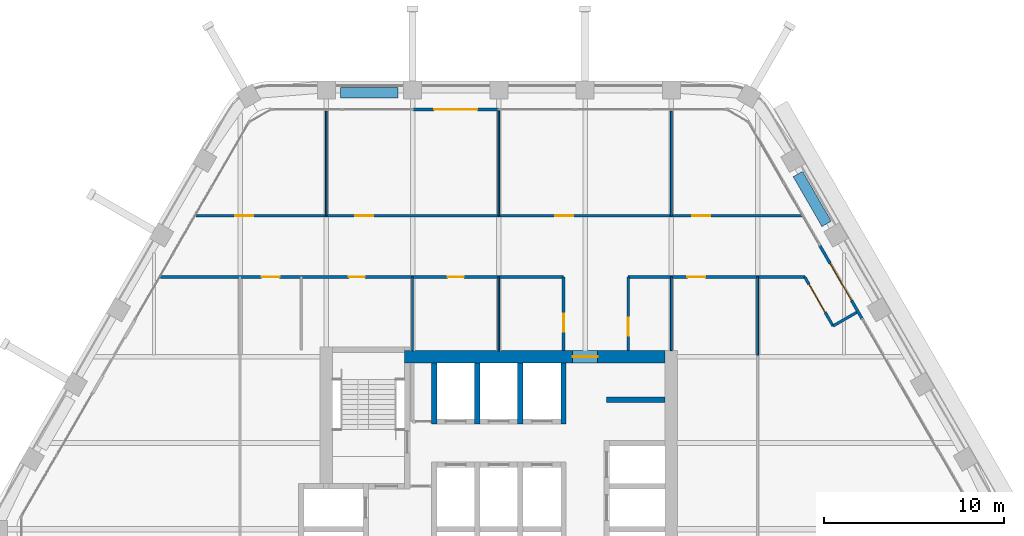
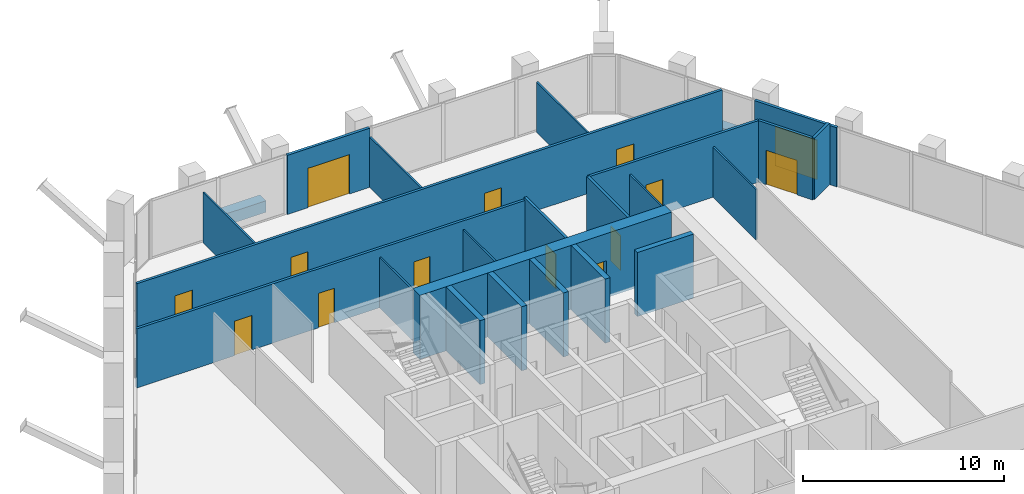
# One storey, part 12 of 16: 24 walls, 14 doors, 14 openings.
"""IFC4 building model written with IfcOpenShell, lengths in metres."""

from ifc_helpers import new_model, si_unit, direction, frame, frame_2d, origin, place, context, subcontext, project, spatial, rectangle, extrude, material, layer, layer_set, type_object, element, fill, save


model = new_model("IFC4")

# Units and contexts
model_context = context("Model", 3, precision=1e-05, world=origin(), true_north=direction((0.0, 1.0)))
body_context = subcontext(model_context, "Body", "Model", "MODEL_VIEW")
ifc_project = project(units=[si_unit("LENGTHUNIT", "METRE"), si_unit("AREAUNIT", "SQUARE_METRE"), si_unit("VOLUMEUNIT", "CUBIC_METRE"), si_unit("PLANEANGLEUNIT", "RADIAN"), si_unit("MASSUNIT", "GRAM", prefix="KILO")], contexts=[model_context])

# Site, building, storey
site_placement = place(None, origin())
site = spatial("IfcSite", under=ifc_project, at=site_placement, CompositionType="ELEMENT")
building_placement = place(site_placement, origin())
building = spatial("IfcBuilding", under=site, at=building_placement, Name="Kolab Exchange Tower", CompositionType="ELEMENT")
storey_placement = place(building_placement, frame((0.0, 0.0, 146.60009765625)))
storey = spatial("IfcBuildingStorey", under=building, at=storey_placement, Name="L29", CompositionType="ELEMENT", Elevation=146.60009765625)

# Wall, opening, door
ifc_material_1 = material(Name="Concrete C60/75", Category="concrete")
ifc_layer_1 = layer(ifc_material_1, 0.699951171875)
ifc_layer_set_1 = layer_set([ifc_layer_1], Name="Concrete C60/75")
wall_type_1 = type_object("IfcWallType", Name="CORE WALL 700 C60/75", PredefinedType="SHEAR", material=ifc_layer_set_1)
wall_1_placement = place(storey_placement, frame((-5.25, 9.60009765625, -0.150146484375), z_axis=(0.0, 0.0, 1.0), x_axis=(1.0, 0.0, 0.0)))
wall_1 = element("IfcWall", 1, at=wall_1_placement, inside=storey, type_object=wall_type_1, Name="wall/L29/core/031", PredefinedType="SHEAR", context=body_context, shape_type="SweptSolid", body=[
    extrude(rectangle(XDim=14.5, YDim=0.699951171875, at=frame_2d((7.25, 0.0))), origin(), (0.0, 0.0, 1.0), 3.900146484375),
])
opening_1_placement = place(wall_1_placement, frame((9.35009765625, 0.0, 0.14990234375)))
opening_1 = element("IfcOpeningElement", 2, at=opening_1_placement, cuts=wall_1, Name="Opening D5-010", PredefinedType="OPENING", context=body_context, shape_type="SweptSolid", body=[
    extrude(rectangle(XDim=1.39990234375, YDim=2.10009765625, at=frame_2d((0.699951171875, 1.050048828125))), frame((0.0, 0.35986328125, 0.0), z_axis=(0.0, -1.0, 0.0), x_axis=(1.0, 0.0, 0.0)), (0.0, 0.0, 1.0), 0.719970703125),
])
ifc_material_2 = material(Name="Steel S235", Category="steel")
door_type_1 = type_object("IfcDoorType", Name="CORE DOOR 1400 EI 120", OperationType="DOUBLE_DOOR_SINGLE_SWING", PredefinedType="DOOR", material=ifc_material_2)
door_1_placement = place(opening_1_placement, frame((1.39990234375, 0.0, 0.0), z_axis=(0.0, 0.0, 1.0), x_axis=(-1.0, 0.0, 0.0)))
door_1 = element("IfcDoor", 3, at=door_1_placement, inside=storey, type_object=door_type_1, Name="Core lobby door", OperationType="SINGLE_SWING_LEFT", OverallHeight=2.10009765625, OverallWidth=1.39990234375, PredefinedType="DOOR", context=body_context, shape_type="SweptSolid", body=[
    extrude(rectangle(XDim=1.39990234375, YDim=2.10009765625, at=frame_2d((0.699951171875, 1.050048828125))), frame((0.0, 0.02490234375, 0.0), z_axis=(0.0, -1.0, 0.0), x_axis=(1.0, 0.0, 0.0)), (0.0, 0.0, 1.0), 0.050048828125),
])
fill(opening_1, door_1)

ifc_material_3 = material(Name="Aluminium EN AW-6063 T6", Category="aluminium")
ifc_layer_2 = layer(ifc_material_3, 0.159912109375)
ifc_layer_set_2 = layer_set([ifc_layer_2], Name="Aluminium EN AW-6063 T6")
wall_type_2 = type_object("IfcWallType", Name="DOOR SURROUND WALL 160 ALUMINIUM FRAMED", PredefinedType="PARTITIONING", material=ifc_layer_set_2)
wall_2_placement = place(storey_placement, frame((-4.77001953125, 23.361572265625, 0.0), z_axis=(0.0, 0.0, 1.0), x_axis=(1.0, 0.0, 0.0)))
wall_2 = element("IfcWall", 4, at=wall_2_placement, inside=storey, type_object=wall_type_2, Name="Door surround wall", PredefinedType="PARTITIONING", context=body_context, shape_type="SweptSolid", body=[
    extrude(rectangle(XDim=4.739990234375, YDim=0.159912109375, at=frame_2d((2.3701171875, 0.0))), origin(), (0.0, 0.0, 1.0), 3.599853515625),
])
opening_2_placement = place(wall_2_placement, frame((1.169921875, 0.0, 0.0)))
opening_2 = element("IfcOpeningElement", 5, at=opening_2_placement, cuts=wall_2, Name="Opening GD1-070", PredefinedType="OPENING", context=body_context, shape_type="SweptSolid", body=[
    extrude(rectangle(XDim=2.39990234375, YDim=2.39990234375, at=frame_2d((1.199951171875, 1.199951171875))), frame((0.0, 0.08984375, 0.0), z_axis=(0.0, -1.0, 0.0), x_axis=(1.0, 0.0, 0.0)), (0.0, 0.0, 1.0), 0.179931640625),
])
door_type_2 = type_object("IfcDoorType", Name="LOGGIA SLIDING GLASS DOOR 2400 X 2400", OperationType="DOUBLE_DOOR_SINGLE_SWING", PredefinedType="DOOR", material=ifc_material_3)
door_2_placement = place(opening_2_placement, origin())
door_2 = element("IfcDoor", 6, at=door_2_placement, inside=storey, type_object=door_type_2, Name="Loggia door", OperationType="DOUBLE_DOOR_SLIDING", OverallHeight=2.39990234375, OverallWidth=2.39990234375, PredefinedType="DOOR", context=body_context, shape_type="SweptSolid", body=[
    extrude(rectangle(XDim=2.39990234375, YDim=2.39990234375, at=frame_2d((1.199951171875, 1.199951171875))), frame((0.0, 0.02490234375, 0.0), z_axis=(0.0, -1.0, 0.0), x_axis=(1.0, 0.0, 0.0)), (0.0, 0.0, 1.0), 0.050048828125),
])
fill(opening_2, door_2)

wall_3_placement = place(storey_placement, frame((17.8466796875, 15.811767578125, 0.0), z_axis=(0.0, 0.0, 1.0), x_axis=(0.5000167099, -0.866015756104, 0.0)))
wall_3 = element("IfcWall", 7, at=wall_3_placement, inside=storey, type_object=wall_type_2, Name="Door surround wall", PredefinedType="PARTITIONING", context=body_context, shape_type="SweptSolid", body=[
    extrude(rectangle(XDim=4.739990234375, YDim=0.159912109375, at=frame_2d((2.3701171875, 0.0))), origin(), (0.0, 0.0, 1.0), 3.599853515625),
])
opening_3_placement = place(wall_3_placement, frame((1.169921875, 0.0, 0.0)))
opening_3 = element("IfcOpeningElement", 8, at=opening_3_placement, cuts=wall_3, Name="Opening GD1-071", PredefinedType="OPENING", context=body_context, shape_type="SweptSolid", body=[
    extrude(rectangle(XDim=2.39990234375, YDim=2.39990234375, at=frame_2d((1.199951171875, 1.199951171875))), frame((0.0, 0.08984375, 0.0), z_axis=(0.0, -1.0, 0.0), x_axis=(1.0, 0.0, 0.0)), (0.0, 0.0, 1.0), 0.179931640625),
])
door_3_placement = place(opening_3_placement, origin())
door_3 = element("IfcDoor", 9, at=door_3_placement, inside=storey, type_object=door_type_2, Name="Loggia door", OperationType="DOUBLE_DOOR_SLIDING", OverallHeight=2.39990234375, OverallWidth=2.39990234375, PredefinedType="DOOR", context=body_context, shape_type="SweptSolid", body=[
    extrude(rectangle(XDim=2.39990234375, YDim=2.39990234375, at=frame_2d((1.199951171875, 1.199951171875))), frame((0.0, 0.02490234375, 0.0), z_axis=(0.0, -1.0, 0.0), x_axis=(1.0, 0.0, 0.0)), (0.0, 0.0, 1.0), 0.050048828125),
])
fill(opening_3, door_3)

# Walls
ifc_material_4 = material(Name="Concrete C50/60", Category="concrete")
ifc_layer_3 = layer(ifc_material_4, 0.300048828125)
ifc_layer_set_3 = layer_set([ifc_layer_3], Name="Concrete C50/60")
wall_type_3 = type_object("IfcWallType", Name="LIFT SHAFT WALL 300 C50/60", PredefinedType="STANDARD", material=ifc_layer_set_3)
wall_4_placement = place(storey_placement, frame((6.0, 7.199951171875, -0.150146484375), z_axis=(0.0, 0.0, 1.0), x_axis=(1.0, 0.0, 0.0)))
element("IfcWall", 10, at=wall_4_placement, inside=storey, type_object=wall_type_3, Name="wall/L29/core/030", PredefinedType="STANDARD", context=body_context, shape_type="SweptSolid", body=[
    extrude(rectangle(XDim=3.25, YDim=0.300048828125, at=frame_2d((1.625, 0.0))), origin(), (0.0, 0.0, 1.0), 3.900146484375),
])
for number, where, z_axis, x_axis, name in (
    (11, (-3.60009765625, 5.85009765625, -0.150146484375), (0.0, 0.0, 1.0), (0.0, 1.0, 0.0), "wall/L29/core/045"),
    (12, (-1.199951171875, 5.85009765625, -0.150146484375), (0.0, 0.0, 1.0), (0.0, 1.0, 0.0), "wall/L29/core/048"),
    (13, (1.199951171875, 5.85009765625, -0.150146484375), (0.0, 0.0, 1.0), (0.0, 1.0, 0.0), "wall/L29/core/051"),
    (14, (3.60009765625, 5.85009765625, -0.150146484375), (0.0, 0.0, 1.0), (0.0, 1.0, 0.0), "wall/L29/core/054"),
):
    element("IfcWall", number, at=place(storey_placement, frame(where, z_axis=z_axis, x_axis=x_axis)), inside=storey, type_object=wall_type_3, Name=name, PredefinedType="STANDARD", context=body_context, shape_type="SweptSolid", body=[
        extrude(rectangle(XDim=3.39990234375, YDim=0.300048828125, at=frame_2d((1.699951171875, 0.0))), origin(), (0.0, 0.0, 1.0), 3.900146484375),
    ])
ifc_material_5 = material(Name="Gypsum board", Category="gypsum")
ifc_layer_4 = layer(ifc_material_5, 0.10009765625)
ifc_layer_set_4 = layer_set([ifc_layer_4], Name="Gypsum board")
wall_type_4 = type_object("IfcWallType", Name="PARTITION 100", PredefinedType="PARTITIONING", material=ifc_layer_set_4)
wall_5_placement = place(storey_placement, frame((14.39990234375, 9.693603515625, 0.0), z_axis=(0.0, 0.0, 1.0), x_axis=(0.0, 1.0, 0.0)))
element("IfcWall", 15, at=wall_5_placement, inside=storey, type_object=wall_type_4, Name="Partition 000", PredefinedType="PARTITIONING", context=body_context, shape_type="SweptSolid", body=[
    extrude(rectangle(XDim=4.347900390625, YDim=0.10009765625, at=frame_2d((2.173828125, 0.0))), origin(), (0.0, 0.0, 1.0), 3.06591796875),
])
wall_6_placement = place(storey_placement, frame((9.60009765625, 9.949951171875, 0.0), z_axis=(0.0, 0.0, 1.0), x_axis=(0.0, 1.0, 0.0)))
element("IfcWall", 16, at=wall_6_placement, inside=storey, type_object=wall_type_4, Name="Partition 003", PredefinedType="PARTITIONING", context=body_context, shape_type="SweptSolid", body=[
    extrude(rectangle(XDim=4.091552734375, YDim=0.10009765625, at=frame_2d((2.0458984375, 0.0))), origin(), (0.0, 0.0, 1.0), 3.06591796875),
])
wall_7_placement = place(storey_placement, frame((9.60009765625, 17.44140625, 0.0), z_axis=(0.0, 0.0, 1.0), x_axis=(0.0, 1.0, 0.0)))
element("IfcWall", 17, at=wall_7_placement, inside=storey, type_object=wall_type_4, Name="Partition 004", PredefinedType="PARTITIONING", context=body_context, shape_type="SweptSolid", body=[
    extrude(rectangle(XDim=5.830078125, YDim=0.10009765625, at=frame_2d((2.9150390625, 0.0))), origin(), (0.0, 0.0, 1.0), 3.06591796875),
])
wall_8_placement = place(storey_placement, frame((0.0, 9.949951171875, 0.0), z_axis=(0.0, 0.0, 1.0), x_axis=(0.0, 1.0, 0.0)))
element("IfcWall", 18, at=wall_8_placement, inside=storey, type_object=wall_type_4, Name="Partition 012", PredefinedType="PARTITIONING", context=body_context, shape_type="SweptSolid", body=[
    extrude(rectangle(XDim=4.091552734375, YDim=0.10009765625, at=frame_2d((2.0458984375, 0.0))), origin(), (0.0, 0.0, 1.0), 3.06591796875),
])
wall_9_placement = place(storey_placement, frame((0.0, 17.44140625, 0.0), z_axis=(0.0, 0.0, 1.0), x_axis=(0.0, 1.0, 0.0)))
element("IfcWall", 19, at=wall_9_placement, inside=storey, type_object=wall_type_4, Name="Partition 013", PredefinedType="PARTITIONING", context=body_context, shape_type="SweptSolid", body=[
    extrude(rectangle(XDim=5.840087890625, YDim=0.10009765625, at=frame_2d((2.919921875, 0.0))), origin(), (0.0, 0.0, 1.0), 3.06591796875),
])
wall_10_placement = place(storey_placement, frame((-4.800048828125, 9.949951171875, 0.0), z_axis=(0.0, 0.0, 1.0), x_axis=(0.0, 1.0, 0.0)))
element("IfcWall", 20, at=wall_10_placement, inside=storey, type_object=wall_type_4, Name="Partition 016", PredefinedType="PARTITIONING", context=body_context, shape_type="SweptSolid", body=[
    extrude(rectangle(XDim=4.091552734375, YDim=0.10009765625, at=frame_2d((2.0458984375, 0.0))), origin(), (0.0, 0.0, 1.0), 3.06591796875),
])
wall_11_placement = place(storey_placement, frame((-9.60009765625, 17.44140625, 0.0), z_axis=(0.0, 0.0, 1.0), x_axis=(0.0, 1.0, 0.0)))
element("IfcWall", 21, at=wall_11_placement, inside=storey, type_object=wall_type_4, Name="Partition 019", PredefinedType="PARTITIONING", context=body_context, shape_type="SweptSolid", body=[
    extrude(rectangle(XDim=5.830078125, YDim=0.10009765625, at=frame_2d((2.9150390625, 0.0))), origin(), (0.0, 0.0, 1.0), 3.06591796875),
])

# Wall, opening, door
ifc_layer_5 = layer(ifc_material_5, 0.14990234375)
ifc_layer_set_5 = layer_set([ifc_layer_5], Name="Gypsum board")
wall_type_5 = type_object("IfcWallType", Name="PARTITION 150 FIRE-RATED", PredefinedType="PARTITIONING", material=ifc_layer_set_5)
wall_12_placement = place(storey_placement, frame((7.199951171875, 9.949951171875, 0.0), z_axis=(0.0, 0.0, 1.0), x_axis=(0.0, 1.0, 0.0)))
wall_12 = element("IfcWall", 22, at=wall_12_placement, inside=storey, type_object=wall_type_5, Name="Partition 005", PredefinedType="PARTITIONING", context=body_context, shape_type="SweptSolid", body=[
    extrude(rectangle(XDim=4.091552734375, YDim=0.14990234375, at=frame_2d((2.0458984375, 0.0))), origin(), (0.0, 0.0, 1.0), 3.75),
])
opening_4_placement = place(wall_12_placement, frame((0.8212890625, 0.0, 0.0)))
opening_4 = element("IfcOpeningElement", 23, at=opening_4_placement, cuts=wall_12, Name="Opening D1-400", PredefinedType="OPENING", context=body_context, shape_type="SweptSolid", body=[
    extrude(rectangle(XDim=1.0, YDim=2.10009765625, at=frame_2d((0.5, 1.050048828125))), frame((0.0, 0.0849609375, 0.0), z_axis=(0.0, -1.0, 0.0), x_axis=(1.0, 0.0, 0.0)), (0.0, 0.0, 1.0), 0.169921875),
])
door_type_3 = type_object("IfcDoorType", Name="FLUSH DOOR 1000 FD60", OperationType="SINGLE_SWING_LEFT", PredefinedType="DOOR", material=ifc_material_2)
door_4_placement = place(opening_4_placement, frame((1.0, 0.0, 0.0), z_axis=(0.0, 0.0, 1.0), x_axis=(-1.0, 0.0, 0.0)))
door_4 = element("IfcDoor", 24, at=door_4_placement, inside=storey, type_object=door_type_3, Name="Door L29-030", OperationType="SINGLE_SWING_LEFT", OverallHeight=2.10009765625, OverallWidth=1.0, PredefinedType="DOOR", context=body_context, shape_type="SweptSolid", body=[
    extrude(rectangle(XDim=1.0, YDim=2.10009765625, at=frame_2d((0.5, 1.050048828125))), frame((0.0, 0.02490234375, 0.0), z_axis=(0.0, -1.0, 0.0), x_axis=(1.0, 0.0, 0.0)), (0.0, 0.0, 1.0), 0.050048828125),
])
fill(opening_4, door_4)

wall_13_placement = place(storey_placement, frame((3.60009765625, 9.949951171875, 0.0), z_axis=(0.0, 0.0, 1.0), x_axis=(0.0, 1.0, 0.0)))
wall_13 = element("IfcWall", 25, at=wall_13_placement, inside=storey, type_object=wall_type_5, Name="Partition 008", PredefinedType="PARTITIONING", context=body_context, shape_type="SweptSolid", body=[
    extrude(rectangle(XDim=4.091552734375, YDim=0.14990234375, at=frame_2d((2.0458984375, 0.0))), origin(), (0.0, 0.0, 1.0), 3.75),
])
opening_5_placement = place(wall_13_placement, frame((1.035400390625, 0.0, 0.0)))
opening_5 = element("IfcOpeningElement", 26, at=opening_5_placement, cuts=wall_13, Name="Opening D1-418", PredefinedType="OPENING", context=body_context, shape_type="SweptSolid", body=[
    extrude(rectangle(XDim=1.0, YDim=2.10009765625, at=frame_2d((0.5, 1.050048828125))), frame((0.0, 0.0849609375, 0.0), z_axis=(0.0, -1.0, 0.0), x_axis=(1.0, 0.0, 0.0)), (0.0, 0.0, 1.0), 0.169921875),
])
door_5_placement = place(opening_5_placement, origin())
door_5 = element("IfcDoor", 27, at=door_5_placement, inside=storey, type_object=door_type_3, Name="Door L29-033", OperationType="SINGLE_SWING_LEFT", OverallHeight=2.10009765625, OverallWidth=1.0, PredefinedType="DOOR", context=body_context, shape_type="SweptSolid", body=[
    extrude(rectangle(XDim=1.0, YDim=2.10009765625, at=frame_2d((0.5, 1.050048828125))), frame((0.0, 0.02490234375, 0.0), z_axis=(0.0, -1.0, 0.0), x_axis=(1.0, 0.0, 0.0)), (0.0, 0.0, 1.0), 0.050048828125),
])
fill(opening_5, door_5)

wall_14_placement = place(storey_placement, frame((17.021240234375, 14.04150390625, 0.0), z_axis=(0.0, 0.0, 1.0), x_axis=(0.499957296199, -0.866050057432, 0.0)))
wall_14 = element("IfcWall", 28, at=wall_14_placement, inside=storey, type_object=wall_type_5, Name="Partition 024", PredefinedType="PARTITIONING", context=body_context, shape_type="SweptSolid", body=[
    extrude(rectangle(XDim=3.149658203125, YDim=0.14990234375, at=frame_2d((1.57470703125, 0.0))), origin(), (0.0, 0.0, 1.0), 3.75),
])
opening_6_placement = place(wall_14_placement, frame((0.46728515625, 0.0, 0.0)))
opening_6 = element("IfcOpeningElement", 29, at=opening_6_placement, cuts=wall_14, Name="Opening D2-041", PredefinedType="OPENING", context=body_context, shape_type="SweptSolid", body=[
    extrude(rectangle(XDim=1.800048828125, YDim=2.10009765625, at=frame_2d((0.89990234375, 1.050048828125))), frame((0.0, 0.0849609375, 0.0), z_axis=(0.0, -1.0, 0.0), x_axis=(1.0, 0.0, 0.0)), (0.0, 0.0, 1.0), 0.169921875),
])
door_type_4 = type_object("IfcDoorType", Name="DOUBLE DOOR 1800 FD60", OperationType="DOUBLE_DOOR_SINGLE_SWING", PredefinedType="DOOR", material=ifc_material_2)
door_6_placement = place(opening_6_placement, frame((1.800048828125, 0.0, 0.0), z_axis=(0.0, 0.0, 1.0), x_axis=(-1.0, 0.0, 0.0)))
door_6 = element("IfcDoor", 30, at=door_6_placement, inside=storey, type_object=door_type_4, Name="Door L29-049", OperationType="SINGLE_SWING_LEFT", OverallHeight=2.10009765625, OverallWidth=1.800048828125, PredefinedType="DOOR", context=body_context, shape_type="SweptSolid", body=[
    extrude(rectangle(XDim=1.800048828125, YDim=2.10009765625, at=frame_2d((0.89990234375, 1.050048828125))), frame((0.0, 0.02490234375, 0.0), z_axis=(0.0, -1.0, 0.0), x_axis=(1.0, 0.0, 0.0)), (0.0, 0.0, 1.0), 0.050048828125),
])
fill(opening_6, door_6)

# Wall
wall_15_placement = place(storey_placement, frame((18.595947265625, 11.313720703125, 0.0), z_axis=(0.0, 0.0, 1.0), x_axis=(0.866030456496, 0.499991248344, 0.0)))
element("IfcWall", 31, at=wall_15_placement, inside=storey, type_object=wall_type_5, Name="Partition 026", PredefinedType="PARTITIONING", context=body_context, shape_type="SweptSolid", body=[
    extrude(rectangle(XDim=1.52001953125, YDim=0.14990234375, at=frame_2d((0.760009765625, 0.0))), origin(), (0.0, 0.0, 1.0), 3.75),
])

# Wall, openings, doors
wall_16_placement = place(storey_placement, frame((-18.822509765625, 14.04150390625, 0.0), z_axis=(0.0, 0.0, 1.0), x_axis=(1.0, 0.0, 0.0)))
wall_16 = element("IfcWall", 32, at=wall_16_placement, inside=storey, type_object=wall_type_5, Name="Partition 031", PredefinedType="PARTITIONING", context=body_context, shape_type="SweptSolid", body=[
    extrude(rectangle(XDim=22.422607421875, YDim=0.14990234375, at=frame_2d((11.21142578125, 0.0))), origin(), (0.0, 0.0, 1.0), 3.599853515625),
])
opening_7_placement = place(wall_16_placement, frame((10.472412109375, 0.0, 0.0)))
opening_7 = element("IfcOpeningElement", 33, at=opening_7_placement, cuts=wall_16, Name="Opening D3-040", PredefinedType="OPENING", context=body_context, shape_type="SweptSolid", body=[
    extrude(rectangle(XDim=0.89990234375, YDim=2.10009765625, at=frame_2d((0.449951171875, 1.050048828125))), frame((0.0, 0.0849609375, 0.0), z_axis=(0.0, -1.0, 0.0), x_axis=(1.0, 0.0, 0.0)), (0.0, 0.0, 1.0), 0.169921875),
])
opening_8_placement = place(wall_16_placement, frame((15.972412109375, 0.0, 0.0)))
opening_8 = element("IfcOpeningElement", 34, at=opening_8_placement, cuts=wall_16, Name="Opening D3-041", PredefinedType="OPENING", context=body_context, shape_type="SweptSolid", body=[
    extrude(rectangle(XDim=0.89990234375, YDim=2.10009765625, at=frame_2d((0.449951171875, 1.050048828125))), frame((0.0, 0.0849609375, 0.0), z_axis=(0.0, -1.0, 0.0), x_axis=(1.0, 0.0, 0.0)), (0.0, 0.0, 1.0), 0.169921875),
])
opening_9_placement = place(wall_16_placement, frame((5.62255859375, 0.0, 0.0)))
opening_9 = element("IfcOpeningElement", 35, at=opening_9_placement, cuts=wall_16, Name="Opening D1-431", PredefinedType="OPENING", context=body_context, shape_type="SweptSolid", body=[
    extrude(rectangle(XDim=1.0, YDim=2.10009765625, at=frame_2d((0.5, 1.050048828125))), frame((0.0, 0.0849609375, 0.0), z_axis=(0.0, -1.0, 0.0), x_axis=(1.0, 0.0, 0.0)), (0.0, 0.0, 1.0), 0.169921875),
])
door_7_placement = place(opening_9_placement, frame((1.0, 0.0, 0.0), z_axis=(0.0, 0.0, 1.0), x_axis=(-1.0, 0.0, 0.0)))
door_7 = element("IfcDoor", 36, at=door_7_placement, inside=storey, type_object=door_type_3, Name="Door L29-051", OperationType="SINGLE_SWING_LEFT", OverallHeight=2.10009765625, OverallWidth=1.0, PredefinedType="DOOR", context=body_context, shape_type="SweptSolid", body=[
    extrude(rectangle(XDim=1.0, YDim=2.10009765625, at=frame_2d((0.5, 1.050048828125))), frame((0.0, 0.02490234375, 0.0), z_axis=(0.0, -1.0, 0.0), x_axis=(1.0, 0.0, 0.0)), (0.0, 0.0, 1.0), 0.050048828125),
])
fill(opening_9, door_7)
door_type_5 = type_object("IfcDoorType", Name="FLUSH DOOR 900 FD60", OperationType="SINGLE_SWING_LEFT", PredefinedType="DOOR", material=ifc_material_2)
door_8_placement = place(opening_7_placement, frame((0.89990234375, 0.0, 0.0), z_axis=(0.0, 0.0, 1.0), x_axis=(-1.0, 0.0, 0.0)))
door_8 = element("IfcDoor", 37, at=door_8_placement, inside=storey, type_object=door_type_5, Name="Door L29-031", OperationType="SINGLE_SWING_LEFT", OverallHeight=2.10009765625, OverallWidth=0.89990234375, PredefinedType="DOOR", context=body_context, shape_type="SweptSolid", body=[
    extrude(rectangle(XDim=0.89990234375, YDim=2.10009765625, at=frame_2d((0.449951171875, 1.050048828125))), frame((0.0, 0.02490234375, 0.0), z_axis=(0.0, -1.0, 0.0), x_axis=(1.0, 0.0, 0.0)), (0.0, 0.0, 1.0), 0.050048828125),
])
fill(opening_7, door_8)
door_9_placement = place(opening_8_placement, frame((0.89990234375, 0.0, 0.0), z_axis=(0.0, 0.0, 1.0), x_axis=(-1.0, 0.0, 0.0)))
door_9 = element("IfcDoor", 38, at=door_9_placement, inside=storey, type_object=door_type_5, Name="Door L29-032", OperationType="SINGLE_SWING_LEFT", OverallHeight=2.10009765625, OverallWidth=0.89990234375, PredefinedType="DOOR", context=body_context, shape_type="SweptSolid", body=[
    extrude(rectangle(XDim=0.89990234375, YDim=2.10009765625, at=frame_2d((0.449951171875, 1.050048828125))), frame((0.0, 0.02490234375, 0.0), z_axis=(0.0, -1.0, 0.0), x_axis=(1.0, 0.0, 0.0)), (0.0, 0.0, 1.0), 0.050048828125),
])
fill(opening_8, door_9)

# Wall, opening, door
wall_17_placement = place(storey_placement, frame((7.199951171875, 14.04150390625, 0.0), z_axis=(0.0, 0.0, 1.0), x_axis=(1.0, 0.0, 0.0)))
wall_17 = element("IfcWall", 39, at=wall_17_placement, inside=storey, type_object=wall_type_5, Name="Partition 032", PredefinedType="PARTITIONING", context=body_context, shape_type="SweptSolid", body=[
    extrude(rectangle(XDim=9.8212890625, YDim=0.14990234375, at=frame_2d((4.91064453125, 0.0))), origin(), (0.0, 0.0, 1.0), 3.75),
])
opening_10_placement = place(wall_17_placement, frame((3.284912109375, 0.0, 0.0)))
opening_10 = element("IfcOpeningElement", 40, at=opening_10_placement, cuts=wall_17, Name="Opening D1-430", PredefinedType="OPENING", context=body_context, shape_type="SweptSolid", body=[
    extrude(rectangle(XDim=1.0, YDim=2.10009765625, at=frame_2d((0.5, 1.050048828125))), frame((0.0, 0.0849609375, 0.0), z_axis=(0.0, -1.0, 0.0), x_axis=(1.0, 0.0, 0.0)), (0.0, 0.0, 1.0), 0.169921875),
])
door_10_placement = place(opening_10_placement, frame((1.0, 0.0, 0.0), z_axis=(0.0, 0.0, 1.0), x_axis=(-1.0, 0.0, 0.0)))
door_10 = element("IfcDoor", 41, at=door_10_placement, inside=storey, type_object=door_type_3, Name="Door L29-048", OperationType="SINGLE_SWING_LEFT", OverallHeight=2.10009765625, OverallWidth=1.0, PredefinedType="DOOR", context=body_context, shape_type="SweptSolid", body=[
    extrude(rectangle(XDim=1.0, YDim=2.10009765625, at=frame_2d((0.5, 1.050048828125))), frame((0.0, 0.02490234375, 0.0), z_axis=(0.0, -1.0, 0.0), x_axis=(1.0, 0.0, 0.0)), (0.0, 0.0, 1.0), 0.050048828125),
])
fill(opening_10, door_10)

# Wall, openings, doors
wall_18_placement = place(storey_placement, frame((-16.859619140625, 17.44140625, 0.0), z_axis=(0.0, 0.0, 1.0), x_axis=(1.0, 0.0, 0.0)))
wall_18 = element("IfcWall", 42, at=wall_18_placement, inside=storey, type_object=wall_type_5, Name="Partition 033", PredefinedType="PARTITIONING", context=body_context, shape_type="SweptSolid", body=[
    extrude(rectangle(XDim=33.71923828125, YDim=0.14990234375, at=frame_2d((16.859619140625, 0.0))), origin(), (0.0, 0.0, 1.0), 3.599853515625),
])
opening_11_placement = place(wall_18_placement, frame((2.19091796875, 0.0, 0.0)))
opening_11 = element("IfcOpeningElement", 43, at=opening_11_placement, cuts=wall_18, Name="Opening D1-422", PredefinedType="OPENING", context=body_context, shape_type="SweptSolid", body=[
    extrude(rectangle(XDim=1.0, YDim=2.10009765625, at=frame_2d((0.5, 1.050048828125))), frame((0.0, 0.0849609375, 0.0), z_axis=(0.0, -1.0, 0.0), x_axis=(1.0, 0.0, 0.0)), (0.0, 0.0, 1.0), 0.169921875),
])
opening_12_placement = place(wall_18_placement, frame((8.864501953125, 0.0, 0.0)))
opening_12 = element("IfcOpeningElement", 44, at=opening_12_placement, cuts=wall_18, Name="Opening D1-423", PredefinedType="OPENING", context=body_context, shape_type="SweptSolid", body=[
    extrude(rectangle(XDim=1.0, YDim=2.10009765625, at=frame_2d((0.5, 1.050048828125))), frame((0.0, 0.0849609375, 0.0), z_axis=(0.0, -1.0, 0.0), x_axis=(1.0, 0.0, 0.0)), (0.0, 0.0, 1.0), 0.169921875),
])
opening_13_placement = place(wall_18_placement, frame((20.00439453125, 0.0, 0.0)))
opening_13 = element("IfcOpeningElement", 45, at=opening_13_placement, cuts=wall_18, Name="Opening D1-424", PredefinedType="OPENING", context=body_context, shape_type="SweptSolid", body=[
    extrude(rectangle(XDim=1.0, YDim=2.10009765625, at=frame_2d((0.5, 1.050048828125))), frame((0.0, 0.0849609375, 0.0), z_axis=(0.0, -1.0, 0.0), x_axis=(1.0, 0.0, 0.0)), (0.0, 0.0, 1.0), 0.169921875),
])
opening_14_placement = place(wall_18_placement, frame((27.629150390625, 0.0, 0.0)))
opening_14 = element("IfcOpeningElement", 46, at=opening_14_placement, cuts=wall_18, Name="Opening D1-425", PredefinedType="OPENING", context=body_context, shape_type="SweptSolid", body=[
    extrude(rectangle(XDim=1.0, YDim=2.10009765625, at=frame_2d((0.5, 1.050048828125))), frame((0.0, 0.0849609375, 0.0), z_axis=(0.0, -1.0, 0.0), x_axis=(1.0, 0.0, 0.0)), (0.0, 0.0, 1.0), 0.169921875),
])
door_11_placement = place(opening_11_placement, origin())
door_11 = element("IfcDoor", 47, at=door_11_placement, inside=storey, type_object=door_type_3, Name="Door L29-038", OperationType="SINGLE_SWING_LEFT", OverallHeight=2.10009765625, OverallWidth=1.0, PredefinedType="DOOR", context=body_context, shape_type="SweptSolid", body=[
    extrude(rectangle(XDim=1.0, YDim=2.10009765625, at=frame_2d((0.5, 1.050048828125))), frame((0.0, 0.02490234375, 0.0), z_axis=(0.0, -1.0, 0.0), x_axis=(1.0, 0.0, 0.0)), (0.0, 0.0, 1.0), 0.050048828125),
])
fill(opening_11, door_11)
door_12_placement = place(opening_12_placement, origin())
door_12 = element("IfcDoor", 48, at=door_12_placement, inside=storey, type_object=door_type_3, Name="Door L29-039", OperationType="SINGLE_SWING_LEFT", OverallHeight=2.10009765625, OverallWidth=1.0, PredefinedType="DOOR", context=body_context, shape_type="SweptSolid", body=[
    extrude(rectangle(XDim=1.0, YDim=2.10009765625, at=frame_2d((0.5, 1.050048828125))), frame((0.0, 0.02490234375, 0.0), z_axis=(0.0, -1.0, 0.0), x_axis=(1.0, 0.0, 0.0)), (0.0, 0.0, 1.0), 0.050048828125),
])
fill(opening_12, door_12)
door_13_placement = place(opening_13_placement, origin())
door_13 = element("IfcDoor", 49, at=door_13_placement, inside=storey, type_object=door_type_3, Name="Door L29-040", OperationType="SINGLE_SWING_LEFT", OverallHeight=2.10009765625, OverallWidth=1.0, PredefinedType="DOOR", context=body_context, shape_type="SweptSolid", body=[
    extrude(rectangle(XDim=1.0, YDim=2.10009765625, at=frame_2d((0.5, 1.050048828125))), frame((0.0, 0.02490234375, 0.0), z_axis=(0.0, -1.0, 0.0), x_axis=(1.0, 0.0, 0.0)), (0.0, 0.0, 1.0), 0.050048828125),
])
fill(opening_13, door_13)
door_14_placement = place(opening_14_placement, origin())
door_14 = element("IfcDoor", 50, at=door_14_placement, inside=storey, type_object=door_type_3, Name="Door L29-041", OperationType="SINGLE_SWING_LEFT", OverallHeight=2.10009765625, OverallWidth=1.0, PredefinedType="DOOR", context=body_context, shape_type="SweptSolid", body=[
    extrude(rectangle(XDim=1.0, YDim=2.10009765625, at=frame_2d((0.5, 1.050048828125))), frame((0.0, 0.02490234375, 0.0), z_axis=(0.0, -1.0, 0.0), x_axis=(1.0, 0.0, 0.0)), (0.0, 0.0, 1.0), 0.050048828125),
])
fill(opening_14, door_14)

# Walls
ifc_material_6 = material(Name="Granite facing", Category="masonry")
ifc_layer_6 = layer(ifc_material_6, 0.0400390625)
ifc_material_7 = material(Name="Concrete C40/50 precast", Category="concrete")
ifc_layer_7 = layer(ifc_material_7, 0.56005859375)
ifc_layer_set_6 = layer_set([ifc_layer_6, ifc_layer_7], Name="Concrete C40/50 precast")
wall_type_6 = type_object("IfcWallType", Name="PLANTER BOX 600 X 700 SOIL DEPTH 550", PredefinedType="USERDEFINED", material=ifc_layer_set_6)
for number, where, z_axis, x_axis, name in (
    (51, (-8.800048828125, 24.29150390625, 0.0), (0.0, 0.0, 1.0), (1.0, 0.0, 0.0), "Planter"),
    (52, (16.636962890625, 19.766845703125, 0.0), (0.0, 0.0, 1.0), (0.500028443584, -0.866008981251, 0.0), "Planter"),
):
    element("IfcWall", number, at=place(storey_placement, frame(where, z_axis=z_axis, x_axis=x_axis)), inside=storey, type_object=wall_type_6, Name=name, ObjectType="PLANTER", PredefinedType="USERDEFINED", context=body_context, shape_type="SweptSolid", body=[
        extrude(rectangle(XDim=3.199951171875, YDim=0.60009765625, at=frame_2d((1.60009765625, 0.0))), origin(), (0.0, 0.0, 1.0), 0.699951171875),
    ])

save(model, "model.ifc")
